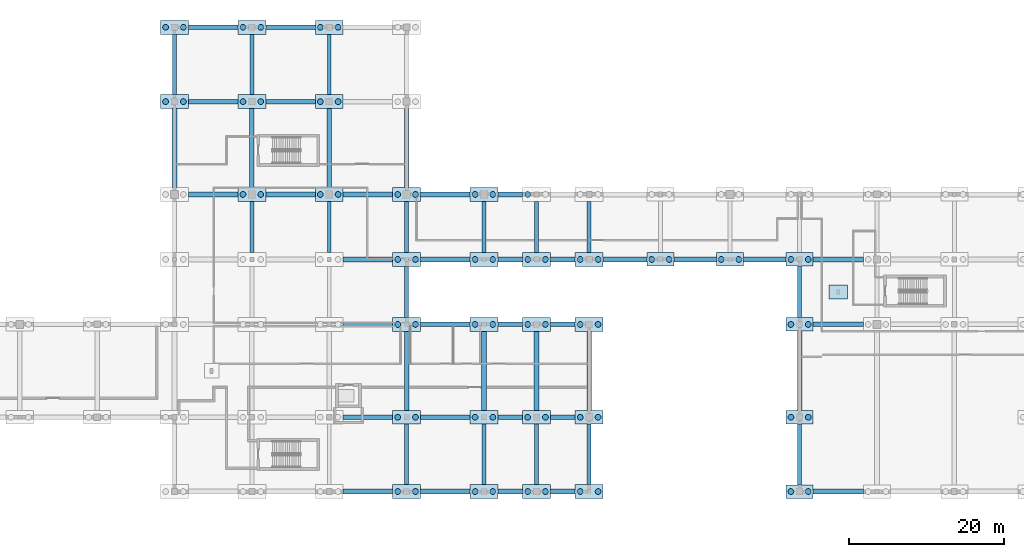
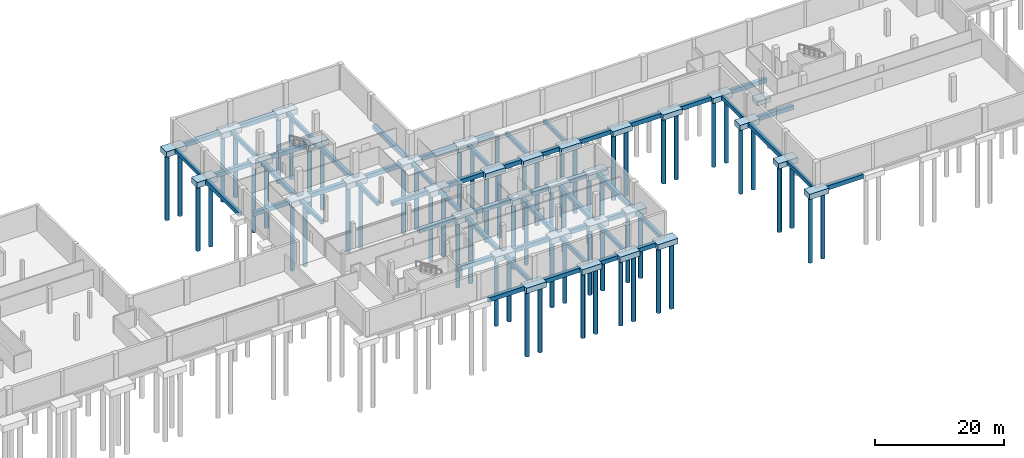
# One storey, part 5 of 28: 89 footings, 65 piles.
"""IFC4 building model written with IfcOpenShell, lengths in metres."""

from ifc_helpers import new_model, si_unit, direction, frame, origin, origin_2d, place, context, subcontext, project, spatial, rectangle, circle, extrude, material, layer, layer_set, material_profile, profile_set, type_object, element, save


model = new_model("IFC4")

# Units and contexts
model_context = context("Model", 3, precision=1e-05, world=origin(), true_north=direction((0.0, 1.0)))
body_context = subcontext(model_context, "Body", "Model", "MODEL_VIEW")
ifc_project = project(units=[si_unit("LENGTHUNIT", "METRE"), si_unit("AREAUNIT", "SQUARE_METRE"), si_unit("VOLUMEUNIT", "CUBIC_METRE"), si_unit("PLANEANGLEUNIT", "RADIAN"), si_unit("MASSUNIT", "GRAM", prefix="KILO")], contexts=[model_context])

# Site, building, storey
site_placement = place(None, origin())
site = spatial("IfcSite", under=ifc_project, at=site_placement, CompositionType="ELEMENT")
building_placement = place(site_placement, origin())
building = spatial("IfcBuilding", under=site, at=building_placement, Name="Zereglee Splitstone Museum", CompositionType="ELEMENT")
storey_placement = place(building_placement, frame((0.0, 0.0, -4.800048828125)))
storey = spatial("IfcBuildingStorey", under=building, at=storey_placement, Name="B1", CompositionType="ELEMENT", Elevation=-4.800048828125)

# Footings
ifc_material = material(Name="Concrete C40/50", Category="concrete")
footing_type_1 = type_object("IfcFootingType", Name="FB-03", PredefinedType="FOOTING_BEAM", material=ifc_material)
footing_1_placement = place(storey_placement, frame((175.199951171875, 55.199951171875, -1.14990234375), z_axis=(0.0, 0.0, 1.0), x_axis=(0.0, 1.0, 0.0)))
element("IfcFooting", 1, at=footing_1_placement, inside=storey, type_object=footing_type_1, Name="Ground Tie Beam FBY-198", PredefinedType="FOOTING_BEAM", context=body_context, shape_type="SweptSolid", body=[
    extrude(rectangle(XDim=7.800048828125, YDim=0.5, at=origin_2d()), origin(), (0.0, 0.0, 1.0), 0.699951171875),
])
footing_2_placement = place(storey_placement, frame((185.199951171875, 34.199951171875, -1.14990234375), z_axis=(0.0, 0.0, 1.0), x_axis=(0.0, 1.0, 0.0)))
element("IfcFooting", 2, at=footing_2_placement, inside=storey, type_object=footing_type_1, Name="Ground Tie Beam FBY-202", PredefinedType="FOOTING_BEAM", context=body_context, shape_type="SweptSolid", body=[
    extrude(rectangle(XDim=6.60009765625, YDim=0.5, at=origin_2d()), origin(), (0.0, 0.0, 1.0), 0.699951171875),
])
footing_3_placement = place(storey_placement, frame((185.199951171875, 55.199951171875, -1.14990234375), z_axis=(0.0, 0.0, 1.0), x_axis=(0.0, 1.0, 0.0)))
element("IfcFooting", 3, at=footing_3_placement, inside=storey, type_object=footing_type_1, Name="Ground Tie Beam FBY-204", PredefinedType="FOOTING_BEAM", context=body_context, shape_type="SweptSolid", body=[
    extrude(rectangle(XDim=7.800048828125, YDim=0.5, at=origin_2d()), origin(), (0.0, 0.0, 1.0), 0.699951171875),
])
footing_4_placement = place(storey_placement, frame((195.199951171875, 34.199951171875, -1.14990234375), z_axis=(0.0, 0.0, 1.0), x_axis=(0.0, 1.0, 0.0)))
element("IfcFooting", 4, at=footing_4_placement, inside=storey, type_object=footing_type_1, Name="Ground Tie Beam FBY-208", PredefinedType="FOOTING_BEAM", context=body_context, shape_type="SweptSolid", body=[
    extrude(rectangle(XDim=6.60009765625, YDim=0.5, at=origin_2d()), origin(), (0.0, 0.0, 1.0), 0.699951171875),
])
for number, where, z_axis, x_axis, name in (
    (5, (195.199951171875, 55.199951171875, -1.14990234375), (0.0, 0.0, 1.0), (0.0, 1.0, 0.0), "Ground Tie Beam FBY-210"),
    (6, (205.199951171875, 4.800048828125, -1.14990234375), (0.0, 0.0, 1.0), (0.0, 1.0, 0.0), "Ground Tie Beam FBY-211"),
):
    element("IfcFooting", number, at=place(storey_placement, frame(where, z_axis=z_axis, x_axis=x_axis)), inside=storey, type_object=footing_type_1, Name=name, PredefinedType="FOOTING_BEAM", context=body_context, shape_type="SweptSolid", body=[
        extrude(rectangle(XDim=7.800048828125, YDim=0.5, at=origin_2d()), origin(), (0.0, 0.0, 1.0), 0.699951171875),
    ])
for number, where, z_axis, x_axis, name in (
    (7, (205.199951171875, 25.800048828125, -1.14990234375), (0.0, 0.0, 1.0), (0.0, 1.0, 0.0), "Ground Tie Beam FBY-213"),
    (8, (205.199951171875, 34.199951171875, -1.14990234375), (0.0, 0.0, 1.0), (0.0, 1.0, 0.0), "Ground Tie Beam FBY-214"),
):
    element("IfcFooting", number, at=place(storey_placement, frame(where, z_axis=z_axis, x_axis=x_axis)), inside=storey, type_object=footing_type_1, Name=name, PredefinedType="FOOTING_BEAM", context=body_context, shape_type="SweptSolid", body=[
        extrude(rectangle(XDim=6.60009765625, YDim=0.5, at=origin_2d()), origin(), (0.0, 0.0, 1.0), 0.699951171875),
    ])
footing_5_placement = place(storey_placement, frame((215.199951171875, 4.800048828125, -1.14990234375), z_axis=(0.0, 0.0, 1.0), x_axis=(0.0, 1.0, 0.0)))
element("IfcFooting", 9, at=footing_5_placement, inside=storey, type_object=footing_type_1, Name="Ground Tie Beam FBY-217", PredefinedType="FOOTING_BEAM", context=body_context, shape_type="SweptSolid", body=[
    extrude(rectangle(XDim=7.800048828125, YDim=0.5, at=origin_2d()), origin(), (0.0, 0.0, 1.0), 0.699951171875),
])
footing_6_placement = place(storey_placement, frame((215.199951171875, 34.199951171875, -1.14990234375), z_axis=(0.0, 0.0, 1.0), x_axis=(0.0, 1.0, 0.0)))
element("IfcFooting", 10, at=footing_6_placement, inside=storey, type_object=footing_type_1, Name="Ground Tie Beam FBY-219", PredefinedType="FOOTING_BEAM", context=body_context, shape_type="SweptSolid", body=[
    extrude(rectangle(XDim=6.60009765625, YDim=0.5, at=origin_2d()), origin(), (0.0, 0.0, 1.0), 0.699951171875),
])
footing_7_placement = place(storey_placement, frame((222.0, 4.800048828125, -1.14990234375), z_axis=(0.0, 0.0, 1.0), x_axis=(0.0, 1.0, 0.0)))
element("IfcFooting", 11, at=footing_7_placement, inside=storey, type_object=footing_type_1, Name="Ground Tie Beam FBY-220", PredefinedType="FOOTING_BEAM", context=body_context, shape_type="SweptSolid", body=[
    extrude(rectangle(XDim=7.800048828125, YDim=0.5, at=origin_2d()), origin(), (0.0, 0.0, 1.0), 0.699951171875),
])
footing_8_placement = place(storey_placement, frame((222.0, 34.199951171875, -1.14990234375), z_axis=(0.0, 0.0, 1.0), x_axis=(0.0, 1.0, 0.0)))
element("IfcFooting", 12, at=footing_8_placement, inside=storey, type_object=footing_type_1, Name="Ground Tie Beam FBY-222", PredefinedType="FOOTING_BEAM", context=body_context, shape_type="SweptSolid", body=[
    extrude(rectangle(XDim=6.60009765625, YDim=0.5, at=origin_2d()), origin(), (0.0, 0.0, 1.0), 0.699951171875),
])
footing_9_placement = place(storey_placement, frame((228.800048828125, 4.800048828125, -1.14990234375), z_axis=(0.0, 0.0, 1.0), x_axis=(0.0, 1.0, 0.0)))
element("IfcFooting", 13, at=footing_9_placement, inside=storey, type_object=footing_type_1, Name="Ground Tie Beam FBY-223", PredefinedType="FOOTING_BEAM", context=body_context, shape_type="SweptSolid", body=[
    extrude(rectangle(XDim=7.800048828125, YDim=0.5, at=origin_2d()), origin(), (0.0, 0.0, 1.0), 0.699951171875),
])
footing_10_placement = place(storey_placement, frame((228.800048828125, 34.199951171875, -1.14990234375), z_axis=(0.0, 0.0, 1.0), x_axis=(0.0, 1.0, 0.0)))
element("IfcFooting", 14, at=footing_10_placement, inside=storey, type_object=footing_type_1, Name="Ground Tie Beam FBY-225", PredefinedType="FOOTING_BEAM", context=body_context, shape_type="SweptSolid", body=[
    extrude(rectangle(XDim=6.60009765625, YDim=0.5, at=origin_2d()), origin(), (0.0, 0.0, 1.0), 0.699951171875),
])
footing_11_placement = place(storey_placement, frame((256.0, 4.800048828125, -1.14990234375), z_axis=(0.0, 0.0, 1.0), x_axis=(0.0, 1.0, 0.0)))
element("IfcFooting", 15, at=footing_11_placement, inside=storey, type_object=footing_type_1, Name="Ground Tie Beam FBY-228", PredefinedType="FOOTING_BEAM", context=body_context, shape_type="SweptSolid", body=[
    extrude(rectangle(XDim=7.85009765625, YDim=0.5, at=origin_2d()), origin(), (0.0, 0.0, 1.0), 0.699951171875),
])
footing_12_placement = place(storey_placement, frame((256.0, 25.800048828125, -1.14990234375), z_axis=(0.0, 0.0, 1.0), x_axis=(0.0, 1.0, 0.0)))
element("IfcFooting", 16, at=footing_12_placement, inside=storey, type_object=footing_type_1, Name="Ground Tie Beam FBY-230", PredefinedType="FOOTING_BEAM", context=body_context, shape_type="SweptSolid", body=[
    extrude(rectangle(XDim=6.64990234375, YDim=0.5, at=origin_2d()), origin(), (0.0, 0.0, 1.0), 0.699951171875),
])
footing_type_2 = type_object("IfcFootingType", Name="FB-02", PredefinedType="FOOTING_BEAM", material=ifc_material)
for number, where, z_axis, x_axis, name in (
    (17, (200.199951171875, 0.0, -1.25), (0.0, 0.0, 1.0), (1.0, 0.0, 0.0), "Ground Tie Beam FBX-007"),
    (18, (210.199951171875, 0.0, -1.25), (0.0, 0.0, 1.0), (1.0, 0.0, 0.0), "Ground Tie Beam FBX-008"),
):
    element("IfcFooting", number, at=place(storey_placement, frame(where, z_axis=z_axis, x_axis=x_axis)), inside=storey, type_object=footing_type_2, Name=name, PredefinedType="FOOTING_BEAM", context=body_context, shape_type="SweptSolid", body=[
        extrude(rectangle(XDim=6.39990234375, YDim=0.60009765625, at=origin_2d()), origin(), (0.0, 0.0, 1.0), 0.800048828125),
    ])
for number, where, z_axis, x_axis, name in (
    (19, (218.60009765625, 0.0, -1.25), (0.0, 0.0, 1.0), (1.0, 0.0, 0.0), "Ground Tie Beam FBX-009"),
    (20, (225.39990234375, 0.0, -1.25), (0.0, 0.0, 1.0), (1.0, 0.0, 0.0), "Ground Tie Beam FBX-010"),
):
    element("IfcFooting", number, at=place(storey_placement, frame(where, z_axis=z_axis, x_axis=x_axis)), inside=storey, type_object=footing_type_2, Name=name, PredefinedType="FOOTING_BEAM", context=body_context, shape_type="SweptSolid", body=[
        extrude(rectangle(XDim=3.199951171875, YDim=0.60009765625, at=origin_2d()), origin(), (0.0, 0.0, 1.0), 0.800048828125),
    ])
footing_13_placement = place(storey_placement, frame((261.0, 0.0, -1.25), z_axis=(0.0, 0.0, 1.0), x_axis=(1.0, 0.0, 0.0)))
element("IfcFooting", 21, at=footing_13_placement, inside=storey, type_object=footing_type_2, Name="Ground Tie Beam FBX-011", PredefinedType="FOOTING_BEAM", context=body_context, shape_type="SweptSolid", body=[
    extrude(rectangle(XDim=6.5, YDim=0.60009765625, at=origin_2d()), origin(), (0.0, 0.0, 1.0), 0.800048828125),
])
for number, where, z_axis, x_axis, name in (
    (22, (200.199951171875, 9.60009765625, -1.25), (0.0, 0.0, 1.0), (1.0, 0.0, 0.0), "Ground Tie Beam FBX-031"),
    (23, (210.199951171875, 9.60009765625, -1.25), (0.0, 0.0, 1.0), (1.0, 0.0, 0.0), "Ground Tie Beam FBX-032"),
):
    element("IfcFooting", number, at=place(storey_placement, frame(where, z_axis=z_axis, x_axis=x_axis)), inside=storey, type_object=footing_type_2, Name=name, PredefinedType="FOOTING_BEAM", context=body_context, shape_type="SweptSolid", body=[
        extrude(rectangle(XDim=6.39990234375, YDim=0.60009765625, at=origin_2d()), origin(), (0.0, 0.0, 1.0), 0.800048828125),
    ])
for number, where, z_axis, x_axis, name in (
    (24, (218.60009765625, 9.60009765625, -1.25), (0.0, 0.0, 1.0), (1.0, 0.0, 0.0), "Ground Tie Beam FBX-033"),
    (25, (225.39990234375, 9.60009765625, -1.25), (0.0, 0.0, 1.0), (1.0, 0.0, 0.0), "Ground Tie Beam FBX-034"),
):
    element("IfcFooting", number, at=place(storey_placement, frame(where, z_axis=z_axis, x_axis=x_axis)), inside=storey, type_object=footing_type_2, Name=name, PredefinedType="FOOTING_BEAM", context=body_context, shape_type="SweptSolid", body=[
        extrude(rectangle(XDim=3.199951171875, YDim=0.60009765625, at=origin_2d()), origin(), (0.0, 0.0, 1.0), 0.800048828125),
    ])
for number, where, z_axis, x_axis, name in (
    (26, (200.199951171875, 21.60009765625, -1.25), (0.0, 0.0, 1.0), (1.0, 0.0, 0.0), "Ground Tie Beam FBX-052"),
    (27, (210.199951171875, 21.60009765625, -1.25), (0.0, 0.0, 1.0), (1.0, 0.0, 0.0), "Ground Tie Beam FBX-053"),
):
    element("IfcFooting", number, at=place(storey_placement, frame(where, z_axis=z_axis, x_axis=x_axis)), inside=storey, type_object=footing_type_2, Name=name, PredefinedType="FOOTING_BEAM", context=body_context, shape_type="SweptSolid", body=[
        extrude(rectangle(XDim=6.39990234375, YDim=0.60009765625, at=origin_2d()), origin(), (0.0, 0.0, 1.0), 0.800048828125),
    ])
for number, where, z_axis, x_axis, name in (
    (28, (218.60009765625, 21.60009765625, -1.25), (0.0, 0.0, 1.0), (1.0, 0.0, 0.0), "Ground Tie Beam FBX-054"),
    (29, (225.39990234375, 21.60009765625, -1.25), (0.0, 0.0, 1.0), (1.0, 0.0, 0.0), "Ground Tie Beam FBX-055"),
):
    element("IfcFooting", number, at=place(storey_placement, frame(where, z_axis=z_axis, x_axis=x_axis)), inside=storey, type_object=footing_type_2, Name=name, PredefinedType="FOOTING_BEAM", context=body_context, shape_type="SweptSolid", body=[
        extrude(rectangle(XDim=3.199951171875, YDim=0.60009765625, at=origin_2d()), origin(), (0.0, 0.0, 1.0), 0.800048828125),
    ])
footing_14_placement = place(storey_placement, frame((261.0, 21.60009765625, -1.25), z_axis=(0.0, 0.0, 1.0), x_axis=(1.0, 0.0, 0.0)))
element("IfcFooting", 30, at=footing_14_placement, inside=storey, type_object=footing_type_2, Name="Ground Tie Beam FBX-056", PredefinedType="FOOTING_BEAM", context=body_context, shape_type="SweptSolid", body=[
    extrude(rectangle(XDim=6.5, YDim=0.60009765625, at=origin_2d()), origin(), (0.0, 0.0, 1.0), 0.800048828125),
])
for number, where, z_axis, x_axis, name in (
    (31, (200.199951171875, 30.0, -1.25), (0.0, 0.0, 1.0), (1.0, 0.0, 0.0), "Ground Tie Beam FBX-075"),
    (32, (210.199951171875, 30.0, -1.25), (0.0, 0.0, 1.0), (1.0, 0.0, 0.0), "Ground Tie Beam FBX-076"),
):
    element("IfcFooting", number, at=place(storey_placement, frame(where, z_axis=z_axis, x_axis=x_axis)), inside=storey, type_object=footing_type_2, Name=name, PredefinedType="FOOTING_BEAM", context=body_context, shape_type="SweptSolid", body=[
        extrude(rectangle(XDim=6.39990234375, YDim=0.60009765625, at=origin_2d()), origin(), (0.0, 0.0, 1.0), 0.800048828125),
    ])
for number, where, z_axis, x_axis, name in (
    (33, (218.60009765625, 30.0, -1.25), (0.0, 0.0, 1.0), (1.0, 0.0, 0.0), "Ground Tie Beam FBX-077"),
    (34, (225.39990234375, 30.0, -1.25), (0.0, 0.0, 1.0), (1.0, 0.0, 0.0), "Ground Tie Beam FBX-078"),
):
    element("IfcFooting", number, at=place(storey_placement, frame(where, z_axis=z_axis, x_axis=x_axis)), inside=storey, type_object=footing_type_2, Name=name, PredefinedType="FOOTING_BEAM", context=body_context, shape_type="SweptSolid", body=[
        extrude(rectangle(XDim=3.199951171875, YDim=0.60009765625, at=origin_2d()), origin(), (0.0, 0.0, 1.0), 0.800048828125),
    ])
footing_15_placement = place(storey_placement, frame((233.425048828125, 30.0, -1.25), z_axis=(0.0, 0.0, 1.0), x_axis=(1.0, 0.0, 0.0)))
element("IfcFooting", 35, at=footing_15_placement, inside=storey, type_object=footing_type_2, Name="Ground Tie Beam FBX-079", PredefinedType="FOOTING_BEAM", context=body_context, shape_type="SweptSolid", body=[
    extrude(rectangle(XDim=5.64990234375, YDim=0.60009765625, at=origin_2d()), origin(), (0.0, 0.0, 1.0), 0.800048828125),
])
for number, where, z_axis, x_axis, name in (
    (36, (242.5, 30.0, -1.25), (0.0, 0.0, 1.0), (1.0, 0.0, 0.0), "Ground Tie Beam FBX-080"),
    (37, (251.5, 30.0, -1.25), (0.0, 0.0, 1.0), (1.0, 0.0, 0.0), "Ground Tie Beam FBX-081"),
):
    element("IfcFooting", number, at=place(storey_placement, frame(where, z_axis=z_axis, x_axis=x_axis)), inside=storey, type_object=footing_type_2, Name=name, PredefinedType="FOOTING_BEAM", context=body_context, shape_type="SweptSolid", body=[
        extrude(rectangle(XDim=5.5, YDim=0.60009765625, at=origin_2d()), origin(), (0.0, 0.0, 1.0), 0.800048828125),
    ])
footing_16_placement = place(storey_placement, frame((261.0, 30.0, -1.25), z_axis=(0.0, 0.0, 1.0), x_axis=(1.0, 0.0, 0.0)))
element("IfcFooting", 38, at=footing_16_placement, inside=storey, type_object=footing_type_2, Name="Ground Tie Beam FBX-082", PredefinedType="FOOTING_BEAM", context=body_context, shape_type="SweptSolid", body=[
    extrude(rectangle(XDim=6.5, YDim=0.60009765625, at=origin_2d()), origin(), (0.0, 0.0, 1.0), 0.800048828125),
])
for number, where, z_axis, x_axis, name in (
    (39, (180.199951171875, 38.39990234375, -1.25), (0.0, 0.0, 1.0), (1.0, 0.0, 0.0), "Ground Tie Beam FBX-103"),
    (40, (190.199951171875, 38.39990234375, -1.25), (0.0, 0.0, 1.0), (1.0, 0.0, 0.0), "Ground Tie Beam FBX-104"),
    (41, (200.199951171875, 38.39990234375, -1.25), (0.0, 0.0, 1.0), (1.0, 0.0, 0.0), "Ground Tie Beam FBX-105"),
    (42, (210.199951171875, 38.39990234375, -1.25), (0.0, 0.0, 1.0), (1.0, 0.0, 0.0), "Ground Tie Beam FBX-106"),
):
    element("IfcFooting", number, at=place(storey_placement, frame(where, z_axis=z_axis, x_axis=x_axis)), inside=storey, type_object=footing_type_2, Name=name, PredefinedType="FOOTING_BEAM", context=body_context, shape_type="SweptSolid", body=[
        extrude(rectangle(XDim=6.39990234375, YDim=0.60009765625, at=origin_2d()), origin(), (0.0, 0.0, 1.0), 0.800048828125),
    ])
footing_17_placement = place(storey_placement, frame((218.60009765625, 38.39990234375, -1.25), z_axis=(0.0, 0.0, 1.0), x_axis=(1.0, 0.0, 0.0)))
element("IfcFooting", 43, at=footing_17_placement, inside=storey, type_object=footing_type_2, Name="Ground Tie Beam FBX-107", PredefinedType="FOOTING_BEAM", context=body_context, shape_type="SweptSolid", body=[
    extrude(rectangle(XDim=3.199951171875, YDim=0.60009765625, at=origin_2d()), origin(), (0.0, 0.0, 1.0), 0.800048828125),
])
for number, where, z_axis, x_axis, name in (
    (44, (180.199951171875, 50.39990234375, -1.25), (0.0, 0.0, 1.0), (1.0, 0.0, 0.0), "Ground Tie Beam FBX-126"),
    (45, (190.199951171875, 50.39990234375, -1.25), (0.0, 0.0, 1.0), (1.0, 0.0, 0.0), "Ground Tie Beam FBX-127"),
    (46, (180.199951171875, 60.0, -1.25), (0.0, 0.0, 1.0), (1.0, 0.0, 0.0), "Ground Tie Beam FBX-132"),
    (47, (190.199951171875, 60.0, -1.25), (0.0, 0.0, 1.0), (1.0, 0.0, 0.0), "Ground Tie Beam FBX-133"),
):
    element("IfcFooting", number, at=place(storey_placement, frame(where, z_axis=z_axis, x_axis=x_axis)), inside=storey, type_object=footing_type_2, Name=name, PredefinedType="FOOTING_BEAM", context=body_context, shape_type="SweptSolid", body=[
        extrude(rectangle(XDim=6.39990234375, YDim=0.60009765625, at=origin_2d()), origin(), (0.0, 0.0, 1.0), 0.800048828125),
    ])
for number, where, z_axis, x_axis, name in (
    (48, (175.199951171875, 44.39990234375, -1.25), (0.0, 0.0, 1.0), (0.0, 1.0, 0.0), "Ground Tie Beam FBY-197"),
    (49, (185.199951171875, 44.39990234375, -1.25), (0.0, 0.0, 1.0), (0.0, 1.0, 0.0), "Ground Tie Beam FBY-203"),
    (50, (195.199951171875, 44.39990234375, -1.25), (0.0, 0.0, 1.0), (0.0, 1.0, 0.0), "Ground Tie Beam FBY-209"),
    (51, (205.199951171875, 15.60009765625, -1.25), (0.0, 0.0, 1.0), (0.0, 1.0, 0.0), "Ground Tie Beam FBY-212"),
    (52, (205.199951171875, 44.39990234375, -1.25), (0.0, 0.0, 1.0), (0.0, 1.0, 0.0), "Ground Tie Beam FBY-215"),
    (53, (215.199951171875, 15.60009765625, -1.25), (0.0, 0.0, 1.0), (0.0, 1.0, 0.0), "Ground Tie Beam FBY-218"),
    (54, (222.0, 15.60009765625, -1.25), (0.0, 0.0, 1.0), (0.0, 1.0, 0.0), "Ground Tie Beam FBY-221"),
    (55, (228.800048828125, 15.60009765625, -1.25), (0.0, 0.0, 1.0), (0.0, 1.0, 0.0), "Ground Tie Beam FBY-224"),
):
    element("IfcFooting", number, at=place(storey_placement, frame(where, z_axis=z_axis, x_axis=x_axis)), inside=storey, type_object=footing_type_2, Name=name, PredefinedType="FOOTING_BEAM", context=body_context, shape_type="SweptSolid", body=[
        extrude(rectangle(XDim=10.199951171875, YDim=0.60009765625, at=origin_2d()), origin(), (0.0, 0.0, 1.0), 0.800048828125),
    ])
footing_18_placement = place(storey_placement, frame((256.0, 15.60009765625, -1.25), z_axis=(0.0, 0.0, 1.0), x_axis=(0.0, 1.0, 0.0)))
element("IfcFooting", 56, at=footing_18_placement, inside=storey, type_object=footing_type_2, Name="Ground Tie Beam FBY-229", PredefinedType="FOOTING_BEAM", context=body_context, shape_type="SweptSolid", body=[
    extrude(rectangle(XDim=10.25, YDim=0.60009765625, at=origin_2d()), origin(), (0.0, 0.0, 1.0), 0.800048828125),
])
ifc_layer_1 = layer(ifc_material, 0.800048828125)
ifc_layer_set_1 = layer_set([ifc_layer_1], Name="Concrete C40/50")
footing_type_3 = type_object("IfcFootingType", Name="PF-03", PredefinedType="PAD_FOOTING", material=ifc_layer_set_1)
footing_19_placement = place(storey_placement, frame((261.0, 25.800048828125, -1.25), z_axis=(0.0, 0.0, 1.0), x_axis=(1.0, 0.0, 0.0)))
element("IfcFooting", 57, at=footing_19_placement, inside=storey, type_object=footing_type_3, Name="Interior Portal Pilaster Pad Footing PF6", PredefinedType="PAD_FOOTING", context=body_context, shape_type="SweptSolid", body=[
    extrude(rectangle(XDim=2.39990234375, YDim=1.800048828125, at=origin_2d()), origin(), (0.0, 0.0, 1.0), 0.800048828125),
])
ifc_layer_2 = layer(ifc_material, 1.0)
ifc_layer_set_2 = layer_set([ifc_layer_2], Name="Concrete C40/50")
footing_type_4 = type_object("IfcFootingType", Name="PC-08", PredefinedType="PILE_CAP", material=ifc_layer_set_2)
for number, where, z_axis, x_axis, name in (
    (58, (238.0, 30.0, -1.449951171875), (0.0, 0.0, 1.0), (1.0, 0.0, 0.0), "Pile Cap at (238.0, 30.0)"),
    (59, (247.0, 30.0, -1.449951171875), (0.0, 0.0, 1.0), (1.0, 0.0, 0.0), "Pile Cap at (247.0, 30.0)"),
    (60, (256.0, 0.0, -1.449951171875), (0.0, 0.0, 1.0), (1.0, 0.0, 0.0), "Pile Cap at (256.0, 0.0)"),
    (61, (256.0, 9.60009765625, -1.449951171875), (0.0, 0.0, 1.0), (1.0, 0.0, 0.0), "Pile Cap at (256.0, 9.6)"),
    (62, (256.0, 21.60009765625, -1.449951171875), (0.0, 0.0, 1.0), (1.0, 0.0, 0.0), "Pile Cap at (256.0, 21.6)"),
    (63, (256.0, 30.0, -1.449951171875), (0.0, 0.0, 1.0), (1.0, 0.0, 0.0), "Pile Cap at (256.0, 30.0)"),
):
    element("IfcFooting", number, at=place(storey_placement, frame(where, z_axis=z_axis, x_axis=x_axis)), inside=storey, type_object=footing_type_4, Name=name, PredefinedType="PILE_CAP", context=body_context, shape_type="SweptSolid", body=[
        extrude(rectangle(XDim=3.5, YDim=1.75, at=origin_2d()), origin(), (0.0, 0.0, 1.0), 1.0),
    ])
ifc_layer_3 = layer(ifc_material, 1.050048828125)
ifc_layer_set_3 = layer_set([ifc_layer_3], Name="Concrete C40/50")
footing_type_5 = type_object("IfcFootingType", Name="PC-07", PredefinedType="PILE_CAP", material=ifc_layer_set_3)
for number, where, z_axis, x_axis, name in (
    (64, (175.199951171875, 50.39990234375, -1.5), (0.0, 0.0, 1.0), (1.0, 0.0, 0.0), "Pile Cap at (175.2, 50.4)"),
    (65, (175.199951171875, 60.0, -1.5), (0.0, 0.0, 1.0), (1.0, 0.0, 0.0), "Pile Cap at (175.2, 60.0)"),
    (66, (185.199951171875, 38.39990234375, -1.5), (0.0, 0.0, 1.0), (1.0, 0.0, 0.0), "Pile Cap at (185.2, 38.4)"),
    (67, (185.199951171875, 50.39990234375, -1.5), (0.0, 0.0, 1.0), (1.0, 0.0, 0.0), "Pile Cap at (185.2, 50.4)"),
    (68, (185.199951171875, 60.0, -1.5), (0.0, 0.0, 1.0), (1.0, 0.0, 0.0), "Pile Cap at (185.2, 60.0)"),
    (69, (195.199951171875, 38.39990234375, -1.5), (0.0, 0.0, 1.0), (1.0, 0.0, 0.0), "Pile Cap at (195.2, 38.4)"),
    (70, (195.199951171875, 50.39990234375, -1.5), (0.0, 0.0, 1.0), (1.0, 0.0, 0.0), "Pile Cap at (195.2, 50.4)"),
    (71, (195.199951171875, 60.0, -1.5), (0.0, 0.0, 1.0), (1.0, 0.0, 0.0), "Pile Cap at (195.2, 60.0)"),
    (72, (205.199951171875, 0.0, -1.5), (0.0, 0.0, 1.0), (1.0, 0.0, 0.0), "Pile Cap at (205.2, 0.0)"),
    (73, (205.199951171875, 9.60009765625, -1.5), (0.0, 0.0, 1.0), (1.0, 0.0, 0.0), "Pile Cap at (205.2, 9.6)"),
    (74, (205.199951171875, 21.60009765625, -1.5), (0.0, 0.0, 1.0), (1.0, 0.0, 0.0), "Pile Cap at (205.2, 21.6)"),
    (75, (205.199951171875, 30.0, -1.5), (0.0, 0.0, 1.0), (1.0, 0.0, 0.0), "Pile Cap at (205.2, 30.0)"),
    (76, (205.199951171875, 38.39990234375, -1.5), (0.0, 0.0, 1.0), (1.0, 0.0, 0.0), "Pile Cap at (205.2, 38.4)"),
    (77, (215.199951171875, 0.0, -1.5), (0.0, 0.0, 1.0), (1.0, 0.0, 0.0), "Pile Cap at (215.2, 0.0)"),
    (78, (215.199951171875, 9.60009765625, -1.5), (0.0, 0.0, 1.0), (1.0, 0.0, 0.0), "Pile Cap at (215.2, 9.6)"),
    (79, (215.199951171875, 21.60009765625, -1.5), (0.0, 0.0, 1.0), (1.0, 0.0, 0.0), "Pile Cap at (215.2, 21.6)"),
    (80, (215.199951171875, 30.0, -1.5), (0.0, 0.0, 1.0), (1.0, 0.0, 0.0), "Pile Cap at (215.2, 30.0)"),
    (81, (215.199951171875, 38.39990234375, -1.5), (0.0, 0.0, 1.0), (1.0, 0.0, 0.0), "Pile Cap at (215.2, 38.4)"),
    (82, (222.0, 0.0, -1.5), (0.0, 0.0, 1.0), (1.0, 0.0, 0.0), "Pile Cap at (222.0, 0.0)"),
    (83, (222.0, 9.60009765625, -1.5), (0.0, 0.0, 1.0), (1.0, 0.0, 0.0), "Pile Cap at (222.0, 9.6)"),
    (84, (222.0, 21.60009765625, -1.5), (0.0, 0.0, 1.0), (1.0, 0.0, 0.0), "Pile Cap at (222.0, 21.6)"),
    (85, (222.0, 30.0, -1.5), (0.0, 0.0, 1.0), (1.0, 0.0, 0.0), "Pile Cap at (222.0, 30.0)"),
    (86, (228.800048828125, 0.0, -1.5), (0.0, 0.0, 1.0), (1.0, 0.0, 0.0), "Pile Cap at (228.8, 0.0)"),
    (87, (228.800048828125, 9.60009765625, -1.5), (0.0, 0.0, 1.0), (1.0, 0.0, 0.0), "Pile Cap at (228.8, 9.6)"),
    (88, (228.800048828125, 21.60009765625, -1.5), (0.0, 0.0, 1.0), (1.0, 0.0, 0.0), "Pile Cap at (228.8, 21.6)"),
    (89, (228.800048828125, 30.0, -1.5), (0.0, 0.0, 1.0), (1.0, 0.0, 0.0), "Pile Cap at (228.8, 30.0)"),
):
    element("IfcFooting", number, at=place(storey_placement, frame(where, z_axis=z_axis, x_axis=x_axis)), inside=storey, type_object=footing_type_5, Name=name, PredefinedType="PILE_CAP", context=body_context, shape_type="SweptSolid", body=[
        extrude(rectangle(XDim=3.60009765625, YDim=1.800048828125, at=origin_2d()), origin(), (0.0, 0.0, 1.0), 1.050048828125),
    ])

# Piles
ifc_material_profile = material_profile(ifc_material, circle(Radius=0.375, at=origin_2d()), Name="PILE D750")
ifc_profile_set = profile_set([ifc_material_profile], Name="Concrete C40/50")
pile_type = type_object("IfcPileType", Name="PL-D07", PredefinedType="BORED", material=ifc_profile_set)
for number, where, z_axis, x_axis, name in (
    (90, (174.050048828125, 50.39990234375, -1.39990234375), (0.0, 0.0, -1.0), (1.0, 0.0, 0.0), "Bored Pile 1752-504-1"),
    (91, (176.35009765625, 50.39990234375, -1.39990234375), (0.0, 0.0, -1.0), (1.0, 0.0, 0.0), "Bored Pile 1752-504-2"),
    (92, (174.050048828125, 60.0, -1.39990234375), (0.0, 0.0, -1.0), (1.0, 0.0, 0.0), "Bored Pile 1752-600-1"),
    (93, (176.35009765625, 60.0, -1.39990234375), (0.0, 0.0, -1.0), (1.0, 0.0, 0.0), "Bored Pile 1752-600-2"),
    (94, (184.050048828125, 38.39990234375, -1.39990234375), (0.0, 0.0, -1.0), (1.0, 0.0, 0.0), "Bored Pile 1852-384-1"),
    (95, (186.35009765625, 38.39990234375, -1.39990234375), (0.0, 0.0, -1.0), (1.0, 0.0, 0.0), "Bored Pile 1852-384-2"),
    (96, (184.050048828125, 50.39990234375, -1.39990234375), (0.0, 0.0, -1.0), (1.0, 0.0, 0.0), "Bored Pile 1852-504-1"),
    (97, (186.35009765625, 50.39990234375, -1.39990234375), (0.0, 0.0, -1.0), (1.0, 0.0, 0.0), "Bored Pile 1852-504-2"),
    (98, (184.050048828125, 60.0, -1.39990234375), (0.0, 0.0, -1.0), (1.0, 0.0, 0.0), "Bored Pile 1852-600-1"),
    (99, (186.35009765625, 60.0, -1.39990234375), (0.0, 0.0, -1.0), (1.0, 0.0, 0.0), "Bored Pile 1852-600-2"),
    (100, (194.050048828125, 38.39990234375, -1.39990234375), (0.0, 0.0, -1.0), (1.0, 0.0, 0.0), "Bored Pile 1952-384-1"),
    (101, (196.35009765625, 38.39990234375, -1.39990234375), (0.0, 0.0, -1.0), (1.0, 0.0, 0.0), "Bored Pile 1952-384-2"),
    (102, (194.050048828125, 50.39990234375, -1.39990234375), (0.0, 0.0, -1.0), (1.0, 0.0, 0.0), "Bored Pile 1952-504-1"),
    (103, (196.35009765625, 50.39990234375, -1.39990234375), (0.0, 0.0, -1.0), (1.0, 0.0, 0.0), "Bored Pile 1952-504-2"),
    (104, (194.050048828125, 60.0, -1.39990234375), (0.0, 0.0, -1.0), (1.0, 0.0, 0.0), "Bored Pile 1952-600-1"),
    (105, (196.35009765625, 60.0, -1.39990234375), (0.0, 0.0, -1.0), (1.0, 0.0, 0.0), "Bored Pile 1952-600-2"),
    (106, (204.050048828125, 0.0, -1.39990234375), (0.0, 0.0, -1.0), (1.0, 0.0, 0.0), "Bored Pile 2052-0-1"),
    (107, (206.35009765625, 0.0, -1.39990234375), (0.0, 0.0, -1.0), (1.0, 0.0, 0.0), "Bored Pile 2052-0-2"),
    (108, (204.050048828125, 9.60009765625, -1.39990234375), (0.0, 0.0, -1.0), (1.0, 0.0, 0.0), "Bored Pile 2052-96-1"),
    (109, (206.35009765625, 9.60009765625, -1.39990234375), (0.0, 0.0, -1.0), (1.0, 0.0, 0.0), "Bored Pile 2052-96-2"),
    (110, (204.050048828125, 21.60009765625, -1.39990234375), (0.0, 0.0, -1.0), (1.0, 0.0, 0.0), "Bored Pile 2052-216-1"),
    (111, (206.35009765625, 21.60009765625, -1.39990234375), (0.0, 0.0, -1.0), (1.0, 0.0, 0.0), "Bored Pile 2052-216-2"),
    (112, (204.050048828125, 30.0, -1.39990234375), (0.0, 0.0, -1.0), (1.0, 0.0, 0.0), "Bored Pile 2052-300-1"),
    (113, (206.35009765625, 30.0, -1.39990234375), (0.0, 0.0, -1.0), (1.0, 0.0, 0.0), "Bored Pile 2052-300-2"),
    (114, (204.050048828125, 38.39990234375, -1.39990234375), (0.0, 0.0, -1.0), (1.0, 0.0, 0.0), "Bored Pile 2052-384-1"),
    (115, (206.35009765625, 38.39990234375, -1.39990234375), (0.0, 0.0, -1.0), (1.0, 0.0, 0.0), "Bored Pile 2052-384-2"),
    (116, (214.050048828125, 0.0, -1.39990234375), (0.0, 0.0, -1.0), (1.0, 0.0, 0.0), "Bored Pile 2152-0-1"),
    (117, (216.35009765625, 0.0, -1.39990234375), (0.0, 0.0, -1.0), (1.0, 0.0, 0.0), "Bored Pile 2152-0-2"),
    (118, (214.050048828125, 9.60009765625, -1.39990234375), (0.0, 0.0, -1.0), (1.0, 0.0, 0.0), "Bored Pile 2152-96-1"),
    (119, (216.35009765625, 9.60009765625, -1.39990234375), (0.0, 0.0, -1.0), (1.0, 0.0, 0.0), "Bored Pile 2152-96-2"),
    (120, (214.050048828125, 21.60009765625, -1.39990234375), (0.0, 0.0, -1.0), (1.0, 0.0, 0.0), "Bored Pile 2152-216-1"),
    (121, (216.35009765625, 21.60009765625, -1.39990234375), (0.0, 0.0, -1.0), (1.0, 0.0, 0.0), "Bored Pile 2152-216-2"),
    (122, (214.050048828125, 30.0, -1.39990234375), (0.0, 0.0, -1.0), (1.0, 0.0, 0.0), "Bored Pile 2152-300-1"),
    (123, (216.35009765625, 30.0, -1.39990234375), (0.0, 0.0, -1.0), (1.0, 0.0, 0.0), "Bored Pile 2152-300-2"),
    (124, (214.050048828125, 38.39990234375, -1.39990234375), (0.0, 0.0, -1.0), (1.0, 0.0, 0.0), "Bored Pile 2152-384-1"),
    (125, (216.35009765625, 38.39990234375, -1.39990234375), (0.0, 0.0, -1.0), (1.0, 0.0, 0.0), "Bored Pile 2152-384-2"),
    (126, (220.85009765625, 0.0, -1.39990234375), (0.0, 0.0, -1.0), (1.0, 0.0, 0.0), "Bored Pile 2220-0-1"),
    (127, (223.14990234375, 0.0, -1.39990234375), (0.0, 0.0, -1.0), (1.0, 0.0, 0.0), "Bored Pile 2220-0-2"),
    (128, (220.85009765625, 9.60009765625, -1.39990234375), (0.0, 0.0, -1.0), (1.0, 0.0, 0.0), "Bored Pile 2220-96-1"),
    (129, (223.14990234375, 9.60009765625, -1.39990234375), (0.0, 0.0, -1.0), (1.0, 0.0, 0.0), "Bored Pile 2220-96-2"),
    (130, (220.85009765625, 21.60009765625, -1.39990234375), (0.0, 0.0, -1.0), (1.0, 0.0, 0.0), "Bored Pile 2220-216-1"),
    (131, (223.14990234375, 21.60009765625, -1.39990234375), (0.0, 0.0, -1.0), (1.0, 0.0, 0.0), "Bored Pile 2220-216-2"),
    (132, (220.85009765625, 30.0, -1.39990234375), (0.0, 0.0, -1.0), (1.0, 0.0, 0.0), "Bored Pile 2220-300-1"),
    (133, (223.14990234375, 30.0, -1.39990234375), (0.0, 0.0, -1.0), (1.0, 0.0, 0.0), "Bored Pile 2220-300-2"),
    (134, (220.85009765625, 38.39990234375, -1.39990234375), (0.0, 0.0, -1.0), (1.0, 0.0, 0.0), "Bored Pile 2220-384-1"),
    (135, (227.64990234375, 0.0, -1.39990234375), (0.0, 0.0, -1.0), (1.0, 0.0, 0.0), "Bored Pile 2288-0-1"),
    (136, (229.949951171875, 0.0, -1.39990234375), (0.0, 0.0, -1.0), (1.0, 0.0, 0.0), "Bored Pile 2288-0-2"),
    (137, (227.64990234375, 9.60009765625, -1.39990234375), (0.0, 0.0, -1.0), (1.0, 0.0, 0.0), "Bored Pile 2288-96-1"),
    (138, (229.949951171875, 9.60009765625, -1.39990234375), (0.0, 0.0, -1.0), (1.0, 0.0, 0.0), "Bored Pile 2288-96-2"),
    (139, (227.64990234375, 21.60009765625, -1.39990234375), (0.0, 0.0, -1.0), (1.0, 0.0, 0.0), "Bored Pile 2288-216-1"),
    (140, (229.949951171875, 21.60009765625, -1.39990234375), (0.0, 0.0, -1.0), (1.0, 0.0, 0.0), "Bored Pile 2288-216-2"),
    (141, (227.64990234375, 30.0, -1.39990234375), (0.0, 0.0, -1.0), (1.0, 0.0, 0.0), "Bored Pile 2288-300-1"),
    (142, (229.949951171875, 30.0, -1.39990234375), (0.0, 0.0, -1.0), (1.0, 0.0, 0.0), "Bored Pile 2288-300-2"),
):
    element("IfcPile", number, at=place(storey_placement, frame(where, z_axis=z_axis, x_axis=x_axis)), inside=storey, type_object=pile_type, Name=name, PredefinedType="BORED", context=body_context, shape_type="SweptSolid", body=[
        extrude(circle(Radius=0.375, at=origin_2d()), origin(), (0.0, 0.0, 1.0), 12.60009765625),
    ])
for number, where, z_axis, x_axis, name in (
    (143, (236.875, 30.0, -1.349853515625), (0.0, 0.0, -1.0), (1.0, 0.0, 0.0), "Bored Pile 2380-300-1"),
    (144, (239.125, 30.0, -1.349853515625), (0.0, 0.0, -1.0), (1.0, 0.0, 0.0), "Bored Pile 2380-300-2"),
    (145, (245.875, 30.0, -1.349853515625), (0.0, 0.0, -1.0), (1.0, 0.0, 0.0), "Bored Pile 2470-300-1"),
    (146, (248.125, 30.0, -1.349853515625), (0.0, 0.0, -1.0), (1.0, 0.0, 0.0), "Bored Pile 2470-300-2"),
    (147, (254.875, 0.0, -1.349853515625), (0.0, 0.0, -1.0), (1.0, 0.0, 0.0), "Bored Pile 2560-0-1"),
    (148, (257.125, 0.0, -1.349853515625), (0.0, 0.0, -1.0), (1.0, 0.0, 0.0), "Bored Pile 2560-0-2"),
    (149, (254.875, 9.60009765625, -1.349853515625), (0.0, 0.0, -1.0), (1.0, 0.0, 0.0), "Bored Pile 2560-96-1"),
    (150, (257.125, 9.60009765625, -1.349853515625), (0.0, 0.0, -1.0), (1.0, 0.0, 0.0), "Bored Pile 2560-96-2"),
    (151, (254.875, 21.60009765625, -1.349853515625), (0.0, 0.0, -1.0), (1.0, 0.0, 0.0), "Bored Pile 2560-216-1"),
    (152, (257.125, 21.60009765625, -1.349853515625), (0.0, 0.0, -1.0), (1.0, 0.0, 0.0), "Bored Pile 2560-216-2"),
    (153, (254.875, 30.0, -1.349853515625), (0.0, 0.0, -1.0), (1.0, 0.0, 0.0), "Bored Pile 2560-300-1"),
    (154, (257.125, 30.0, -1.349853515625), (0.0, 0.0, -1.0), (1.0, 0.0, 0.0), "Bored Pile 2560-300-2"),
):
    element("IfcPile", number, at=place(storey_placement, frame(where, z_axis=z_axis, x_axis=x_axis)), inside=storey, type_object=pile_type, Name=name, PredefinedType="BORED", context=body_context, shape_type="SweptSolid", body=[
        extrude(circle(Radius=0.375, at=origin_2d()), origin(), (0.0, 0.0, 1.0), 12.64990234375),
    ])

save(model, "model.ifc")
